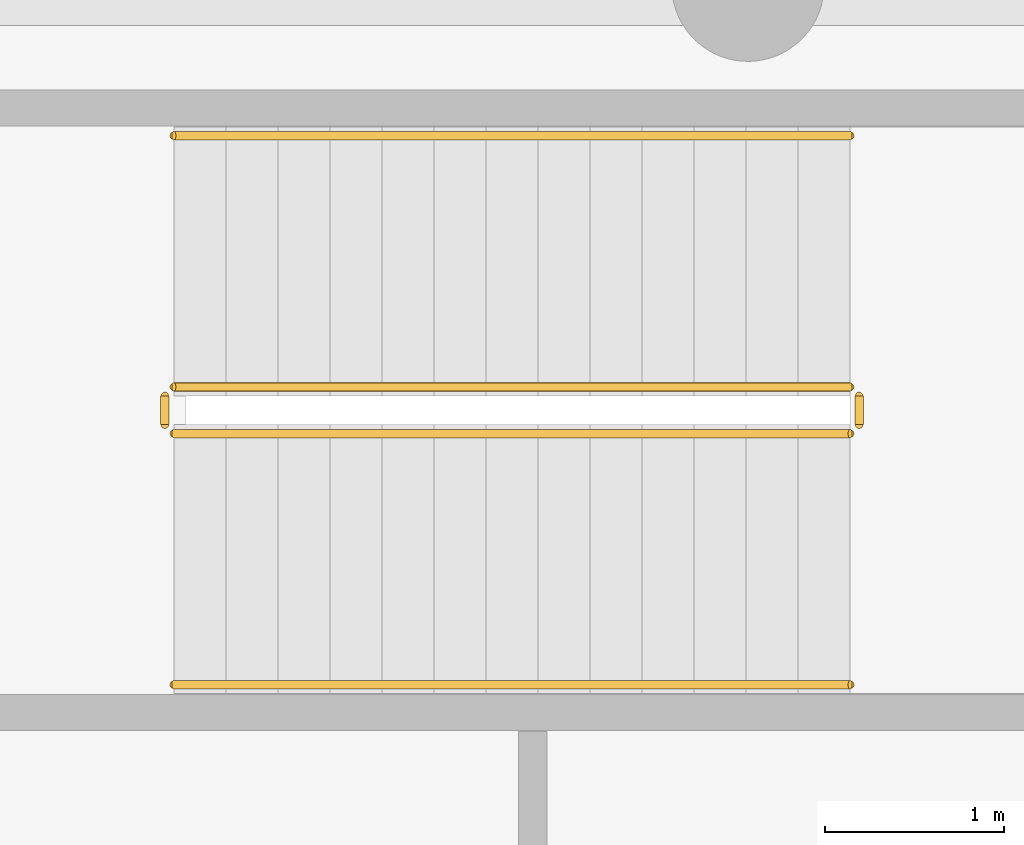
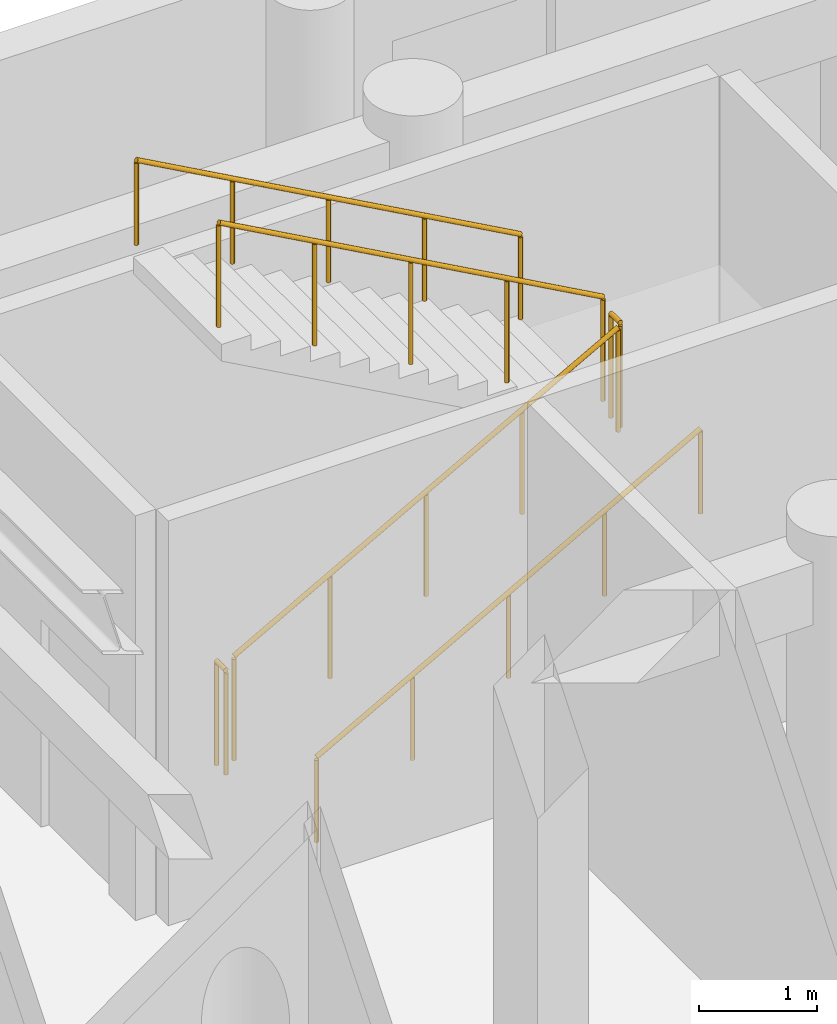
# One storey, part 26 of 26: 6 railings.
"""IFC4 building model written with IfcOpenShell, lengths in metres."""

from ifc_helpers import new_model, si_unit, direction, frame, origin, origin_2d, place, context, subcontext, project, spatial, circle, extrude, material, layer, layer_set, type_object, element, save


model = new_model("IFC4")

# Units and contexts
model_context = context("Model", 3, precision=1e-05, world=origin(), true_north=direction((0.0, 1.0)))
body_context = subcontext(model_context, "Body", "Model", "MODEL_VIEW")
ifc_project = project(units=[si_unit("LENGTHUNIT", "METRE"), si_unit("AREAUNIT", "SQUARE_METRE"), si_unit("VOLUMEUNIT", "CUBIC_METRE"), si_unit("PLANEANGLEUNIT", "RADIAN"), si_unit("MASSUNIT", "GRAM", prefix="KILO")], contexts=[model_context])

# Site, building, storey
site_placement = place(None, origin())
site = spatial("IfcSite", under=ifc_project, at=site_placement, CompositionType="ELEMENT")
building_placement = place(site_placement, origin())
building = spatial("IfcBuilding", under=site, at=building_placement, Name="Karkom Vertical University and Central Library", CompositionType="ELEMENT")
storey_placement = place(building_placement, frame((0.0, 0.0, 9.0)))
storey = spatial("IfcBuildingStorey", under=building, at=storey_placement, Name="L02", CompositionType="ELEMENT", Elevation=9.0)

# Railings
ifc_material_1 = material(Name="Painted galvanised steel balustrade", Category="steel")
ifc_layer_1 = layer(ifc_material_1, 0.06005859375)
ifc_layer_set_1 = layer_set([ifc_layer_1], Name="Painted galvanised steel balustrade")
railing_type_1 = type_object("IfcRailingType", Name="INT-RL-GUARD1100", PredefinedType="GUARDRAIL", material=ifc_layer_set_1)
railing_1_placement = place(storey_placement, frame((72.199951171875, 45.699951171875, 0.16064453125)))
element("IfcRailing", 1, at=railing_1_placement, inside=storey, type_object=railing_type_1, Name="Level 02 LIB-ST2 stair guard 1", PredefinedType="GUARDRAIL", context=body_context, shape_type="SweptSolid", body=[
    extrude(circle(Radius=0.02392578125, at=origin_2d()), frame((0.0, 0.0, 1.076171875), z_axis=(0.874659101714, 0.0, 0.484738543742), x_axis=(0.0, 1.0, 0.0)), (0.0, 0.0, 1.0), 4.310302734375),
    extrude(circle(Radius=0.02099609375, at=origin_2d()), origin(), (0.0, 0.0, 1.0), 1.052001953125),
    extrude(circle(Radius=0.02099609375, at=origin_2d()), frame((0.9423828125, 0.0, 0.5224609375)), (0.0, 0.0, 1.0), 1.052001953125),
    extrude(circle(Radius=0.02099609375, at=origin_2d()), frame((1.885009765625, 0.0, 1.044677734375)), (0.0, 0.0, 1.0), 1.052001953125),
    extrude(circle(Radius=0.02099609375, at=origin_2d()), frame((2.82763671875, 0.0, 1.56689453125)), (0.0, 0.0, 1.0), 1.052001953125),
    extrude(circle(Radius=0.02099609375, at=origin_2d()), frame((3.77001953125, 0.0, 2.08935546875)), (0.0, 0.0, 1.0), 1.052001953125),
])
railing_2_placement = place(storey_placement, frame((76.02001953125, 45.75, 2.25)))
element("IfcRailing", 2, at=railing_2_placement, inside=storey, type_object=railing_type_1, Name="Level 02 LIB-ST2 stair guard 2", PredefinedType="GUARDRAIL", context=body_context, shape_type="SweptSolid", body=[
    extrude(circle(Radius=0.02392578125, at=origin_2d()), frame((0.0, 0.0, 1.076171875), z_axis=(0.0, 1.0, 0.0), x_axis=(-1.0, 0.0, 0.0)), (0.0, 0.0, 1.0), 0.159912109375),
    extrude(circle(Radius=0.02099609375, at=origin_2d()), origin(), (0.0, 0.0, 1.0), 1.052001953125),
    extrude(circle(Radius=0.02099609375, at=origin_2d()), frame((0.0, 0.159912109375, 0.0)), (0.0, 0.0, 1.0), 1.052001953125),
])
railing_3_placement = place(storey_placement, frame((75.969970703125, 45.9599609375, 2.41064453125)))
element("IfcRailing", 3, at=railing_3_placement, inside=storey, type_object=railing_type_1, Name="Level 02 LIB-ST2 stair guard 3", PredefinedType="GUARDRAIL", context=body_context, shape_type="SweptSolid", body=[
    extrude(circle(Radius=0.02392578125, at=origin_2d()), frame((0.0, 0.0, 1.076171875), z_axis=(-0.874659101714, 0.0, 0.484738543742), x_axis=(0.0, -1.0, 0.0)), (0.0, 0.0, 1.0), 4.310302734375),
    extrude(circle(Radius=0.02099609375, at=origin_2d()), origin(), (0.0, 0.0, 1.0), 1.052001953125),
    extrude(circle(Radius=0.02099609375, at=origin_2d()), frame((-0.9423828125, 0.0, 0.5224609375)), (0.0, 0.0, 1.0), 1.052001953125),
    extrude(circle(Radius=0.02099609375, at=origin_2d()), frame((-1.885009765625, 0.0, 1.044677734375)), (0.0, 0.0, 1.0), 1.052001953125),
    extrude(circle(Radius=0.02099609375, at=origin_2d()), frame((-2.82763671875, 0.0, 1.56689453125)), (0.0, 0.0, 1.0), 1.052001953125),
    extrude(circle(Radius=0.02099609375, at=origin_2d()), frame((-3.77001953125, 0.0, 2.08935546875)), (0.0, 0.0, 1.0), 1.052001953125),
])
railing_4_placement = place(storey_placement, frame((72.14990234375, 45.75, 0.0)))
element("IfcRailing", 4, at=railing_4_placement, inside=storey, type_object=railing_type_1, Name="Level 02 LIB-ST2 stair guard 4", PredefinedType="GUARDRAIL", context=body_context, shape_type="SweptSolid", body=[
    extrude(circle(Radius=0.02392578125, at=origin_2d()), frame((0.0, 0.0, 1.076171875), z_axis=(0.0, 1.0, 0.0), x_axis=(-1.0, 0.0, 0.0)), (0.0, 0.0, 1.0), 0.159912109375),
    extrude(circle(Radius=0.02099609375, at=origin_2d()), origin(), (0.0, 0.0, 1.0), 1.052001953125),
    extrude(circle(Radius=0.02099609375, at=origin_2d()), frame((0.0, 0.159912109375, 0.0)), (0.0, 0.0, 1.0), 1.052001953125),
])
ifc_material_2 = material(Name="Brushed stainless-steel tubular handrail", Category="steel")
ifc_layer_2 = layer(ifc_material_2, 0.048095703125)
ifc_layer_set_2 = layer_set([ifc_layer_2], Name="Brushed stainless-steel tubular handrail")
railing_type_2 = type_object("IfcRailingType", Name="INT-RL-HAND920", PredefinedType="HANDRAIL", material=ifc_layer_set_2)
railing_5_placement = place(storey_placement, frame((72.199951171875, 44.300048828125, 0.16064453125)))
element("IfcRailing", 5, at=railing_5_placement, inside=storey, type_object=railing_type_2, Name="Level 02 LIB-ST2 stair handrail 1", PredefinedType="HANDRAIL", context=body_context, shape_type="SweptSolid", body=[
    extrude(circle(Radius=0.02392578125, at=origin_2d()), frame((0.0, 0.0, 0.8759765625), z_axis=(0.874659101714, 0.0, 0.484738543742), x_axis=(0.0, 1.0, 0.0)), (0.0, 0.0, 1.0), 4.310302734375),
    extrude(circle(Radius=0.02099609375, at=origin_2d()), origin(), (0.0, 0.0, 1.0), 0.851806640625),
    extrude(circle(Radius=0.02099609375, at=origin_2d()), frame((0.9423828125, 0.0, 0.5224609375)), (0.0, 0.0, 1.0), 0.851806640625),
    extrude(circle(Radius=0.02099609375, at=origin_2d()), frame((1.885009765625, 0.0, 1.044677734375)), (0.0, 0.0, 1.0), 0.851806640625),
    extrude(circle(Radius=0.02099609375, at=origin_2d()), frame((2.82763671875, 0.0, 1.56689453125)), (0.0, 0.0, 1.0), 0.851806640625),
    extrude(circle(Radius=0.02099609375, at=origin_2d()), frame((3.77001953125, 0.0, 2.08935546875)), (0.0, 0.0, 1.0), 0.851806640625),
])
railing_6_placement = place(storey_placement, frame((75.969970703125, 47.360107421875, 2.41064453125)))
element("IfcRailing", 6, at=railing_6_placement, inside=storey, type_object=railing_type_2, Name="Level 02 LIB-ST2 stair handrail 2", PredefinedType="HANDRAIL", context=body_context, shape_type="SweptSolid", body=[
    extrude(circle(Radius=0.02392578125, at=origin_2d()), frame((0.0, 0.0, 0.8759765625), z_axis=(-0.874659101714, 0.0, 0.484738543742), x_axis=(0.0, -1.0, 0.0)), (0.0, 0.0, 1.0), 4.310302734375),
    extrude(circle(Radius=0.02099609375, at=origin_2d()), origin(), (0.0, 0.0, 1.0), 0.851806640625),
    extrude(circle(Radius=0.02099609375, at=origin_2d()), frame((-0.9423828125, 0.0, 0.5224609375)), (0.0, 0.0, 1.0), 0.851806640625),
    extrude(circle(Radius=0.02099609375, at=origin_2d()), frame((-1.885009765625, 0.0, 1.044677734375)), (0.0, 0.0, 1.0), 0.851806640625),
    extrude(circle(Radius=0.02099609375, at=origin_2d()), frame((-2.82763671875, 0.0, 1.56689453125)), (0.0, 0.0, 1.0), 0.851806640625),
    extrude(circle(Radius=0.02099609375, at=origin_2d()), frame((-3.77001953125, 0.0, 2.08935546875)), (0.0, 0.0, 1.0), 0.851806640625),
])

save(model, "model.ifc")
